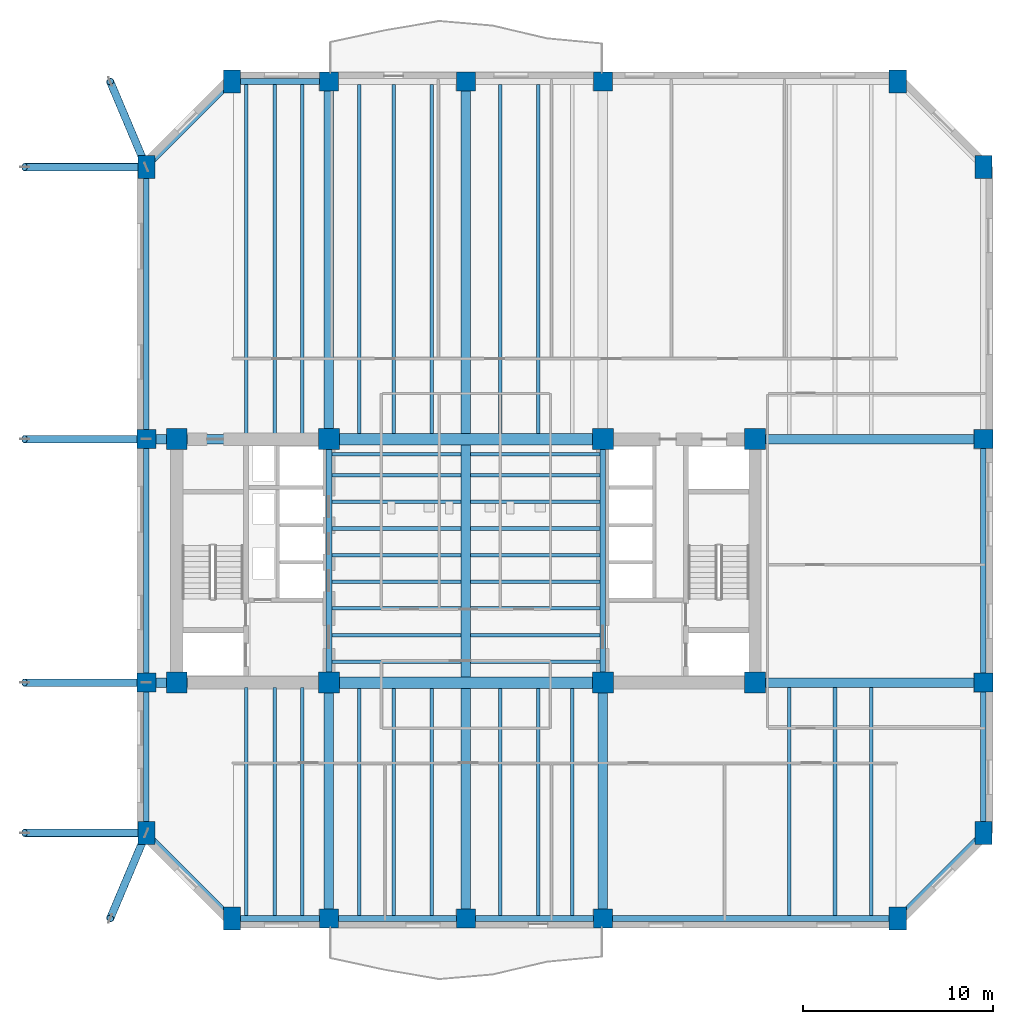
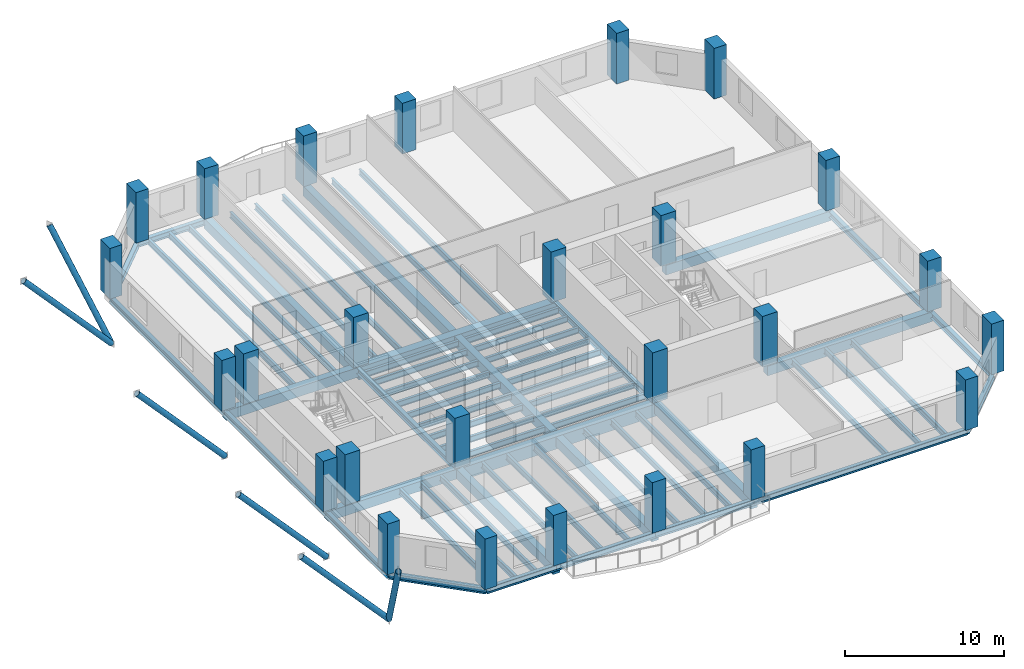
# One storey, part 1 of 12: 65 beams, 26 columns, 6 members.
"""IFC4 building model written with IfcOpenShell, lengths in metres."""

from ifc_helpers import new_model, si_unit, direction, frame, origin, origin_2d, place, context, subcontext, project, spatial, rectangle, hollow_circle, i_section, extrude, material, material_profile, profile_set, type_object, element, save


model = new_model("IFC4")

# Units and contexts
model_context = context("Model", 3, precision=1e-05, world=origin(), true_north=direction((0.0, 1.0)))
body_context = subcontext(model_context, "Body", "Model", "MODEL_VIEW")
ifc_project = project(units=[si_unit("LENGTHUNIT", "METRE"), si_unit("AREAUNIT", "SQUARE_METRE"), si_unit("VOLUMEUNIT", "CUBIC_METRE"), si_unit("PLANEANGLEUNIT", "RADIAN"), si_unit("MASSUNIT", "GRAM", prefix="KILO")], contexts=[model_context])

# Site, building, storey
site_placement = place(None, origin())
site = spatial("IfcSite", under=ifc_project, at=site_placement, CompositionType="ELEMENT")
building_placement = place(site_placement, origin())
building = spatial("IfcBuilding", under=site, at=building_placement, Name="Kranthara Brick Stack", CompositionType="ELEMENT")
storey_placement = place(building_placement, frame((0.0, 0.0, 90.60009765625)))
storey = spatial("IfcBuildingStorey", under=building, at=storey_placement, Name="L22", CompositionType="ELEMENT", Elevation=90.60009765625)

# Columns
ifc_material_1 = material(Name="Concrete C70/85", Category="concrete")
ifc_material_profile_1 = material_profile(ifc_material_1, rectangle(XDim=0.89990234375, YDim=1.199951171875, at=origin_2d()), Name="RC 900x1200")
ifc_profile_set_1 = profile_set([ifc_material_profile_1], Name="Concrete C70/85")
column_type_1 = type_object("IfcColumnType", Name="COL-CHAM-900x1200", PredefinedType="COLUMN", material=ifc_profile_set_1)
for number, where, z_axis, x_axis, name in (
    (1, (15.699951171875, 8.39990234375, 0.0), (0.0, 0.0, 1.0), (1.0, 0.0, 0.0), "L22 Column 09"),
    (2, (15.699951171875, 52.39990234375, 0.0), (0.0, 0.0, 1.0), (1.0, 0.0, 0.0), "L22 Column 10"),
    (3, (50.699951171875, 8.39990234375, 0.0), (0.0, 0.0, 1.0), (1.0, 0.0, 0.0), "L22 Column 17"),
    (4, (50.699951171875, 52.39990234375, 0.0), (0.0, 0.0, 1.0), (1.0, 0.0, 0.0), "L22 Column 18"),
    (5, (11.199951171875, 12.89990234375, 0.0), (0.0, 0.0, 1.0), (1.0, 0.0, 0.0), "L22 Column 19"),
    (6, (55.199951171875, 12.89990234375, 0.0), (0.0, 0.0, 1.0), (1.0, 0.0, 0.0), "L22 Column 20"),
    (7, (11.199951171875, 47.89990234375, 0.0), (0.0, 0.0, 1.0), (1.0, 0.0, 0.0), "L22 Column 25"),
    (8, (55.199951171875, 47.89990234375, 0.0), (0.0, 0.0, 1.0), (1.0, 0.0, 0.0), "L22 Column 26"),
):
    element("IfcColumn", number, at=place(storey_placement, frame(where, z_axis=z_axis, x_axis=x_axis)), inside=storey, type_object=column_type_1, Name=name, PredefinedType="COLUMN", context=body_context, shape_type="SweptSolid", body=[
        extrude(rectangle(XDim=0.89990234375, YDim=1.199951171875, at=origin_2d()), origin(), (0.0, 0.0, 1.0), 3.89990234375),
    ])
ifc_material_2 = material(Name="Concrete C70/85", Category="concrete")
ifc_material_profile_2 = material_profile(ifc_material_2, rectangle(XDim=1.10009765625, YDim=1.10009765625, at=origin_2d()), Name="RC 1100x1100")
ifc_profile_set_2 = profile_set([ifc_material_profile_2], Name="Concrete C70/85")
column_type_2 = type_object("IfcColumnType", Name="COL-CORE-1100", PredefinedType="COLUMN", material=ifc_profile_set_2)
for number, where, z_axis, x_axis, name in (
    (9, (12.800048828125, 20.800048828125, 0.0), (0.0, 0.0, 1.0), (1.0, 0.0, 0.0), "L22 Column 01"),
    (10, (20.800048828125, 20.800048828125, 0.0), (0.0, 0.0, 1.0), (1.0, 0.0, 0.0), "L22 Column 02"),
    (11, (12.800048828125, 33.60009765625, 0.0), (0.0, 0.0, 1.0), (1.0, 0.0, 0.0), "L22 Column 03"),
    (12, (20.800048828125, 33.60009765625, 0.0), (0.0, 0.0, 1.0), (1.0, 0.0, 0.0), "L22 Column 04"),
    (13, (35.199951171875, 20.800048828125, 0.0), (0.0, 0.0, 1.0), (1.0, 0.0, 0.0), "L22 Column 05"),
    (14, (43.199951171875, 20.800048828125, 0.0), (0.0, 0.0, 1.0), (1.0, 0.0, 0.0), "L22 Column 06"),
    (15, (35.199951171875, 33.60009765625, 0.0), (0.0, 0.0, 1.0), (1.0, 0.0, 0.0), "L22 Column 07"),
    (16, (43.199951171875, 33.60009765625, 0.0), (0.0, 0.0, 1.0), (1.0, 0.0, 0.0), "L22 Column 08"),
):
    element("IfcColumn", number, at=place(storey_placement, frame(where, z_axis=z_axis, x_axis=x_axis)), inside=storey, type_object=column_type_2, Name=name, PredefinedType="COLUMN", context=body_context, shape_type="SweptSolid", body=[
        extrude(rectangle(XDim=1.10009765625, YDim=1.10009765625, at=origin_2d()), origin(), (0.0, 0.0, 1.0), 3.89990234375),
    ])
ifc_material_3 = material(Name="Concrete C60/75", Category="concrete")
ifc_material_profile_3 = material_profile(ifc_material_3, rectangle(XDim=1.0, YDim=1.0, at=origin_2d()), Name="RC 1000x1000")
ifc_profile_set_3 = profile_set([ifc_material_profile_3], Name="Concrete C60/75")
column_type_3 = type_object("IfcColumnType", Name="COL-PER-1000", PredefinedType="COLUMN", material=ifc_profile_set_3)
for number, where, z_axis, x_axis, name in (
    (17, (20.800048828125, 8.39990234375, 0.0), (0.0, 0.0, 1.0), (1.0, 0.0, 0.0), "L22 Column 11"),
    (18, (20.800048828125, 52.39990234375, 0.0), (0.0, 0.0, 1.0), (1.0, 0.0, 0.0), "L22 Column 12"),
    (19, (28.0, 8.39990234375, 0.0), (0.0, 0.0, 1.0), (1.0, 0.0, 0.0), "L22 Column 13"),
    (20, (28.0, 52.39990234375, 0.0), (0.0, 0.0, 1.0), (1.0, 0.0, 0.0), "L22 Column 14"),
    (21, (35.199951171875, 8.39990234375, 0.0), (0.0, 0.0, 1.0), (1.0, 0.0, 0.0), "L22 Column 15"),
    (22, (35.199951171875, 52.39990234375, 0.0), (0.0, 0.0, 1.0), (1.0, 0.0, 0.0), "L22 Column 16"),
    (23, (11.199951171875, 20.800048828125, 0.0), (0.0, 0.0, 1.0), (1.0, 0.0, 0.0), "L22 Column 21"),
    (24, (55.199951171875, 20.800048828125, 0.0), (0.0, 0.0, 1.0), (1.0, 0.0, 0.0), "L22 Column 22"),
    (25, (11.199951171875, 33.60009765625, 0.0), (0.0, 0.0, 1.0), (1.0, 0.0, 0.0), "L22 Column 23"),
    (26, (55.199951171875, 33.60009765625, 0.0), (0.0, 0.0, 1.0), (1.0, 0.0, 0.0), "L22 Column 24"),
):
    element("IfcColumn", number, at=place(storey_placement, frame(where, z_axis=z_axis, x_axis=x_axis)), inside=storey, type_object=column_type_3, Name=name, PredefinedType="COLUMN", context=body_context, shape_type="SweptSolid", body=[
        extrude(rectangle(XDim=1.0, YDim=1.0, at=origin_2d()), origin(), (0.0, 0.0, 1.0), 3.89990234375),
    ])

# Beams
ifc_material_4 = material(Name="Concrete C60/75", Category="concrete")
ifc_material_profile_4 = material_profile(ifc_material_4, rectangle(XDim=0.60009765625, YDim=0.949951171875, at=origin_2d()), Name="RC 600x950")
ifc_profile_set_4 = profile_set([ifc_material_profile_4], Name="Concrete C60/75")
beam_type_1 = type_object("IfcBeamType", Name="BM-CPL-RC950", PredefinedType="LINTEL", material=ifc_profile_set_4)
for number, where, z_axis, x_axis, name in (
    (27, (20.800048828125, 20.800048828125, -0.775146484375), (1.0, 0.0, 0.0), (0.0, 1.0, 0.0), "L22 Core Coupling Beam 001"),
    (28, (20.800048828125, 33.60009765625, -0.775146484375), (1.0, 0.0, 0.0), (0.0, 1.0, 0.0), "L22 Core Coupling Beam 002"),
):
    element("IfcBeam", number, at=place(storey_placement, frame(where, z_axis=z_axis, x_axis=x_axis)), inside=storey, type_object=beam_type_1, Name=name, PredefinedType="LINTEL", context=body_context, shape_type="SweptSolid", body=[
        extrude(rectangle(XDim=0.60009765625, YDim=0.949951171875, at=origin_2d()), origin(), (0.0, 0.0, 1.0), 14.39990234375),
    ])
ifc_material_5 = material(Name="Post-tensioned concrete C45/55", Category="concrete")
ifc_material_profile_5 = material_profile(ifc_material_5, rectangle(XDim=0.5, YDim=0.75, at=origin_2d()), Name="PT 500x750")
ifc_profile_set_5 = profile_set([ifc_material_profile_5], Name="Post-tensioned concrete C45/55")
beam_type_2 = type_object("IfcBeamType", Name="BM-FLR-PT750", PredefinedType="BEAM", material=ifc_profile_set_5)
beam_1_placement = place(storey_placement, frame((20.800048828125, 8.39990234375, -0.675048828125), z_axis=(0.0, 1.0, 0.0), x_axis=(-1.0, 0.0, 0.0)))
element("IfcBeam", 29, at=beam_1_placement, inside=storey, type_object=beam_type_2, Name="L22 Primary Grid Girder 023", PredefinedType="BEAM", context=body_context, shape_type="SweptSolid", body=[
    extrude(rectangle(XDim=0.5, YDim=0.75, at=origin_2d()), origin(), (0.0, 0.0, 1.0), 12.400146484375),
])
beam_2_placement = place(storey_placement, frame((20.800048828125, 33.60009765625, -0.675048828125), z_axis=(0.0, 1.0, 0.0), x_axis=(-1.0, 0.0, 0.0)))
element("IfcBeam", 30, at=beam_2_placement, inside=storey, type_object=beam_type_2, Name="L22 Primary Grid Girder 024", PredefinedType="BEAM", context=body_context, shape_type="SweptSolid", body=[
    extrude(rectangle(XDim=0.5, YDim=0.75, at=origin_2d()), origin(), (0.0, 0.0, 1.0), 18.7998046875),
])
beam_3_placement = place(storey_placement, frame((28.0, 8.39990234375, -0.675048828125), z_axis=(0.0, 1.0, 0.0), x_axis=(-1.0, 0.0, 0.0)))
element("IfcBeam", 31, at=beam_3_placement, inside=storey, type_object=beam_type_2, Name="L22 Primary Grid Girder 025", PredefinedType="BEAM", context=body_context, shape_type="SweptSolid", body=[
    extrude(rectangle(XDim=0.5, YDim=0.75, at=origin_2d()), origin(), (0.0, 0.0, 1.0), 12.10009765625),
])
beam_4_placement = place(storey_placement, frame((28.0, 21.10009765625, -0.675048828125), z_axis=(0.0, 1.0, 0.0), x_axis=(-1.0, 0.0, 0.0)))
element("IfcBeam", 32, at=beam_4_placement, inside=storey, type_object=beam_type_2, Name="L22 Central Spine Girder 026", PredefinedType="BEAM", context=body_context, shape_type="SweptSolid", body=[
    extrude(rectangle(XDim=0.5, YDim=0.75, at=origin_2d()), origin(), (0.0, 0.0, 1.0), 12.199951171875),
])
beam_5_placement = place(storey_placement, frame((28.0, 33.89990234375, -0.675048828125), z_axis=(0.0, 1.0, 0.0), x_axis=(-1.0, 0.0, 0.0)))
element("IfcBeam", 33, at=beam_5_placement, inside=storey, type_object=beam_type_2, Name="L22 Primary Grid Girder 027", PredefinedType="BEAM", context=body_context, shape_type="SweptSolid", body=[
    extrude(rectangle(XDim=0.5, YDim=0.75, at=origin_2d()), origin(), (0.0, 0.0, 1.0), 18.5),
])
beam_6_placement = place(storey_placement, frame((35.199951171875, 8.39990234375, -0.675048828125), z_axis=(0.0, 1.0, 0.0), x_axis=(-1.0, 0.0, 0.0)))
element("IfcBeam", 34, at=beam_6_placement, inside=storey, type_object=beam_type_2, Name="L22 Primary Grid Girder 028", PredefinedType="BEAM", context=body_context, shape_type="SweptSolid", body=[
    extrude(rectangle(XDim=0.5, YDim=0.75, at=origin_2d()), origin(), (0.0, 0.0, 1.0), 12.400146484375),
])
beam_7_placement = place(storey_placement, frame((11.199951171875, 20.800048828125, -0.675048828125), z_axis=(1.0, 0.0, 0.0), x_axis=(0.0, 1.0, 0.0)))
element("IfcBeam", 35, at=beam_7_placement, inside=storey, type_object=beam_type_2, Name="L22 Primary Grid Girder 030", PredefinedType="BEAM", context=body_context, shape_type="SweptSolid", body=[
    extrude(rectangle(XDim=0.5, YDim=0.75, at=origin_2d()), origin(), (0.0, 0.0, 1.0), 9.60009765625),
])
beam_8_placement = place(storey_placement, frame((43.199951171875, 20.800048828125, -0.675048828125), z_axis=(1.0, 0.0, 0.0), x_axis=(0.0, 1.0, 0.0)))
element("IfcBeam", 36, at=beam_8_placement, inside=storey, type_object=beam_type_2, Name="L22 Primary Grid Girder 031", PredefinedType="BEAM", context=body_context, shape_type="SweptSolid", body=[
    extrude(rectangle(XDim=0.5, YDim=0.75, at=origin_2d()), origin(), (0.0, 0.0, 1.0), 12.0),
])
beam_9_placement = place(storey_placement, frame((11.199951171875, 33.60009765625, -0.675048828125), z_axis=(1.0, 0.0, 0.0), x_axis=(0.0, 1.0, 0.0)))
element("IfcBeam", 37, at=beam_9_placement, inside=storey, type_object=beam_type_2, Name="L22 Primary Grid Girder 032", PredefinedType="BEAM", context=body_context, shape_type="SweptSolid", body=[
    extrude(rectangle(XDim=0.5, YDim=0.75, at=origin_2d()), origin(), (0.0, 0.0, 1.0), 9.60009765625),
])
beam_10_placement = place(storey_placement, frame((43.199951171875, 33.60009765625, -0.675048828125), z_axis=(1.0, 0.0, 0.0), x_axis=(0.0, 1.0, 0.0)))
element("IfcBeam", 38, at=beam_10_placement, inside=storey, type_object=beam_type_2, Name="L22 Primary Grid Girder 033", PredefinedType="BEAM", context=body_context, shape_type="SweptSolid", body=[
    extrude(rectangle(XDim=0.5, YDim=0.75, at=origin_2d()), origin(), (0.0, 0.0, 1.0), 12.0),
])
ifc_material_6 = material(Name="Steel S355", Category="steel")
ifc_material_profile_6 = material_profile(ifc_material_6, i_section(OverallWidth=0.18994140625, OverallDepth=0.449951171875, WebThickness=0.009521484375, FlangeThickness=0.0146484375, at=origin_2d()), Name="IPE 450")
ifc_profile_set_6 = profile_set([ifc_material_profile_6], Name="Steel S355")
beam_type_3 = type_object("IfcBeamType", Name="BM-JST-IPE450", PredefinedType="JOIST", material=ifc_profile_set_6)
for number, where, z_axis, x_axis, name in (
    (39, (20.949951171875, 21.89990234375, -0.525146484375), (1.0, 0.0, 0.0), (0.0, 1.0, 0.0), "L22 Central Floor Joist 034"),
    (40, (28.25, 21.89990234375, -0.525146484375), (1.0, 0.0, 0.0), (0.0, 1.0, 0.0), "L22 Central Floor Joist 035"),
    (41, (20.949951171875, 23.300048828125, -0.525146484375), (1.0, 0.0, 0.0), (0.0, 1.0, 0.0), "L22 Central Floor Joist 036"),
    (42, (28.25, 23.300048828125, -0.525146484375), (1.0, 0.0, 0.0), (0.0, 1.0, 0.0), "L22 Central Floor Joist 037"),
    (43, (20.949951171875, 24.699951171875, -0.525146484375), (1.0, 0.0, 0.0), (0.0, 1.0, 0.0), "L22 Central Floor Joist 038"),
    (44, (28.25, 24.699951171875, -0.525146484375), (1.0, 0.0, 0.0), (0.0, 1.0, 0.0), "L22 Central Floor Joist 039"),
    (45, (20.949951171875, 26.10009765625, -0.525146484375), (1.0, 0.0, 0.0), (0.0, 1.0, 0.0), "L22 Central Floor Joist 040"),
    (46, (28.25, 26.10009765625, -0.525146484375), (1.0, 0.0, 0.0), (0.0, 1.0, 0.0), "L22 Central Floor Joist 041"),
    (47, (20.949951171875, 27.5, -0.525146484375), (1.0, 0.0, 0.0), (0.0, 1.0, 0.0), "L22 Central Floor Joist 042"),
    (48, (28.25, 27.5, -0.525146484375), (1.0, 0.0, 0.0), (0.0, 1.0, 0.0), "L22 Central Floor Joist 043"),
    (49, (20.949951171875, 28.89990234375, -0.525146484375), (1.0, 0.0, 0.0), (0.0, 1.0, 0.0), "L22 Central Floor Joist 044"),
    (50, (28.25, 28.89990234375, -0.525146484375), (1.0, 0.0, 0.0), (0.0, 1.0, 0.0), "L22 Central Floor Joist 045"),
    (51, (20.949951171875, 30.300048828125, -0.525146484375), (1.0, 0.0, 0.0), (0.0, 1.0, 0.0), "L22 Central Floor Joist 046"),
    (52, (28.25, 30.300048828125, -0.525146484375), (1.0, 0.0, 0.0), (0.0, 1.0, 0.0), "L22 Central Floor Joist 047"),
    (53, (20.949951171875, 31.699951171875, -0.525146484375), (1.0, 0.0, 0.0), (0.0, 1.0, 0.0), "L22 Central Floor Joist 048"),
    (54, (28.25, 31.699951171875, -0.525146484375), (1.0, 0.0, 0.0), (0.0, 1.0, 0.0), "L22 Central Floor Joist 049"),
    (55, (20.949951171875, 32.800048828125, -0.525146484375), (1.0, 0.0, 0.0), (0.0, 1.0, 0.0), "L22 Central Floor Joist 050"),
    (56, (28.25, 32.800048828125, -0.525146484375), (1.0, 0.0, 0.0), (0.0, 1.0, 0.0), "L22 Central Floor Joist 051"),
):
    element("IfcBeam", number, at=place(storey_placement, frame(where, z_axis=z_axis, x_axis=x_axis)), inside=storey, type_object=beam_type_3, Name=name, PredefinedType="JOIST", context=body_context, shape_type="SweptSolid", body=[
        extrude(i_section(OverallWidth=0.18994140625, OverallDepth=0.449951171875, WebThickness=0.009521484375, FlangeThickness=0.0146484375, at=origin_2d()), origin(), (0.0, 0.0, 1.0), 6.800048828125),
    ])
beam_11_placement = place(storey_placement, frame((16.449951171875, 8.550048828125, -0.525146484375), z_axis=(0.0, 1.0, 0.0), x_axis=(-1.0, 0.0, 0.0)))
element("IfcBeam", 57, at=beam_11_placement, inside=storey, type_object=beam_type_3, Name="L22 South Wing Floor Joist 052", PredefinedType="JOIST", context=body_context, shape_type="SweptSolid", body=[
    extrude(i_section(OverallWidth=0.18994140625, OverallDepth=0.449951171875, WebThickness=0.009521484375, FlangeThickness=0.0146484375, at=origin_2d()), origin(), (0.0, 0.0, 1.0), 12.0),
])
beam_12_placement = place(storey_placement, frame((16.449951171875, 33.85009765625, -0.525146484375), z_axis=(0.0, 1.0, 0.0), x_axis=(-1.0, 0.0, 0.0)))
element("IfcBeam", 58, at=beam_12_placement, inside=storey, type_object=beam_type_3, Name="L22 North Wing Floor Joist 053", PredefinedType="JOIST", context=body_context, shape_type="SweptSolid", body=[
    extrude(i_section(OverallWidth=0.18994140625, OverallDepth=0.449951171875, WebThickness=0.009521484375, FlangeThickness=0.0146484375, at=origin_2d()), origin(), (0.0, 0.0, 1.0), 18.39990234375),
])
beam_13_placement = place(storey_placement, frame((17.949951171875, 8.550048828125, -0.525146484375), z_axis=(0.0, 1.0, 0.0), x_axis=(-1.0, 0.0, 0.0)))
element("IfcBeam", 59, at=beam_13_placement, inside=storey, type_object=beam_type_3, Name="L22 South Wing Floor Joist 054", PredefinedType="JOIST", context=body_context, shape_type="SweptSolid", body=[
    extrude(i_section(OverallWidth=0.18994140625, OverallDepth=0.449951171875, WebThickness=0.009521484375, FlangeThickness=0.0146484375, at=origin_2d()), origin(), (0.0, 0.0, 1.0), 12.0),
])
beam_14_placement = place(storey_placement, frame((17.949951171875, 33.85009765625, -0.525146484375), z_axis=(0.0, 1.0, 0.0), x_axis=(-1.0, 0.0, 0.0)))
element("IfcBeam", 60, at=beam_14_placement, inside=storey, type_object=beam_type_3, Name="L22 North Wing Floor Joist 055", PredefinedType="JOIST", context=body_context, shape_type="SweptSolid", body=[
    extrude(i_section(OverallWidth=0.18994140625, OverallDepth=0.449951171875, WebThickness=0.009521484375, FlangeThickness=0.0146484375, at=origin_2d()), origin(), (0.0, 0.0, 1.0), 18.39990234375),
])
beam_15_placement = place(storey_placement, frame((19.39990234375, 8.550048828125, -0.525146484375), z_axis=(0.0, 1.0, 0.0), x_axis=(-1.0, 0.0, 0.0)))
element("IfcBeam", 61, at=beam_15_placement, inside=storey, type_object=beam_type_3, Name="L22 South Wing Floor Joist 056", PredefinedType="JOIST", context=body_context, shape_type="SweptSolid", body=[
    extrude(i_section(OverallWidth=0.18994140625, OverallDepth=0.449951171875, WebThickness=0.009521484375, FlangeThickness=0.0146484375, at=origin_2d()), origin(), (0.0, 0.0, 1.0), 12.0),
])
beam_16_placement = place(storey_placement, frame((19.39990234375, 33.85009765625, -0.525146484375), z_axis=(0.0, 1.0, 0.0), x_axis=(-1.0, 0.0, 0.0)))
element("IfcBeam", 62, at=beam_16_placement, inside=storey, type_object=beam_type_3, Name="L22 North Wing Floor Joist 057", PredefinedType="JOIST", context=body_context, shape_type="SweptSolid", body=[
    extrude(i_section(OverallWidth=0.18994140625, OverallDepth=0.449951171875, WebThickness=0.009521484375, FlangeThickness=0.0146484375, at=origin_2d()), origin(), (0.0, 0.0, 1.0), 18.39990234375),
])
beam_17_placement = place(storey_placement, frame((22.39990234375, 8.550048828125, -0.525146484375), z_axis=(0.0, 1.0, 0.0), x_axis=(-1.0, 0.0, 0.0)))
element("IfcBeam", 63, at=beam_17_placement, inside=storey, type_object=beam_type_3, Name="L22 South Wing Floor Joist 058", PredefinedType="JOIST", context=body_context, shape_type="SweptSolid", body=[
    extrude(i_section(OverallWidth=0.18994140625, OverallDepth=0.449951171875, WebThickness=0.009521484375, FlangeThickness=0.0146484375, at=origin_2d()), origin(), (0.0, 0.0, 1.0), 11.949951171875),
])
beam_18_placement = place(storey_placement, frame((22.39990234375, 33.89990234375, -0.525146484375), z_axis=(0.0, 1.0, 0.0), x_axis=(-1.0, 0.0, 0.0)))
element("IfcBeam", 64, at=beam_18_placement, inside=storey, type_object=beam_type_3, Name="L22 North Wing Floor Joist 059", PredefinedType="JOIST", context=body_context, shape_type="SweptSolid", body=[
    extrude(i_section(OverallWidth=0.18994140625, OverallDepth=0.449951171875, WebThickness=0.009521484375, FlangeThickness=0.0146484375, at=origin_2d()), origin(), (0.0, 0.0, 1.0), 18.35009765625),
])
beam_19_placement = place(storey_placement, frame((24.199951171875, 8.550048828125, -0.525146484375), z_axis=(0.0, 1.0, 0.0), x_axis=(-1.0, 0.0, 0.0)))
element("IfcBeam", 65, at=beam_19_placement, inside=storey, type_object=beam_type_3, Name="L22 South Wing Floor Joist 060", PredefinedType="JOIST", context=body_context, shape_type="SweptSolid", body=[
    extrude(i_section(OverallWidth=0.18994140625, OverallDepth=0.449951171875, WebThickness=0.009521484375, FlangeThickness=0.0146484375, at=origin_2d()), origin(), (0.0, 0.0, 1.0), 11.949951171875),
])
beam_20_placement = place(storey_placement, frame((24.199951171875, 33.89990234375, -0.525146484375), z_axis=(0.0, 1.0, 0.0), x_axis=(-1.0, 0.0, 0.0)))
element("IfcBeam", 66, at=beam_20_placement, inside=storey, type_object=beam_type_3, Name="L22 North Wing Floor Joist 061", PredefinedType="JOIST", context=body_context, shape_type="SweptSolid", body=[
    extrude(i_section(OverallWidth=0.18994140625, OverallDepth=0.449951171875, WebThickness=0.009521484375, FlangeThickness=0.0146484375, at=origin_2d()), origin(), (0.0, 0.0, 1.0), 18.35009765625),
])
beam_21_placement = place(storey_placement, frame((26.199951171875, 8.550048828125, -0.525146484375), z_axis=(0.0, 1.0, 0.0), x_axis=(-1.0, 0.0, 0.0)))
element("IfcBeam", 67, at=beam_21_placement, inside=storey, type_object=beam_type_3, Name="L22 South Wing Floor Joist 062", PredefinedType="JOIST", context=body_context, shape_type="SweptSolid", body=[
    extrude(i_section(OverallWidth=0.18994140625, OverallDepth=0.449951171875, WebThickness=0.009521484375, FlangeThickness=0.0146484375, at=origin_2d()), origin(), (0.0, 0.0, 1.0), 11.949951171875),
])
beam_22_placement = place(storey_placement, frame((26.199951171875, 33.89990234375, -0.525146484375), z_axis=(0.0, 1.0, 0.0), x_axis=(-1.0, 0.0, 0.0)))
element("IfcBeam", 68, at=beam_22_placement, inside=storey, type_object=beam_type_3, Name="L22 North Wing Floor Joist 063", PredefinedType="JOIST", context=body_context, shape_type="SweptSolid", body=[
    extrude(i_section(OverallWidth=0.18994140625, OverallDepth=0.449951171875, WebThickness=0.009521484375, FlangeThickness=0.0146484375, at=origin_2d()), origin(), (0.0, 0.0, 1.0), 18.35009765625),
])
beam_23_placement = place(storey_placement, frame((29.800048828125, 8.550048828125, -0.525146484375), z_axis=(0.0, 1.0, 0.0), x_axis=(-1.0, 0.0, 0.0)))
element("IfcBeam", 69, at=beam_23_placement, inside=storey, type_object=beam_type_3, Name="L22 South Wing Floor Joist 064", PredefinedType="JOIST", context=body_context, shape_type="SweptSolid", body=[
    extrude(i_section(OverallWidth=0.18994140625, OverallDepth=0.449951171875, WebThickness=0.009521484375, FlangeThickness=0.0146484375, at=origin_2d()), origin(), (0.0, 0.0, 1.0), 11.949951171875),
])
beam_24_placement = place(storey_placement, frame((29.800048828125, 33.89990234375, -0.525146484375), z_axis=(0.0, 1.0, 0.0), x_axis=(-1.0, 0.0, 0.0)))
element("IfcBeam", 70, at=beam_24_placement, inside=storey, type_object=beam_type_3, Name="L22 North Wing Floor Joist 065", PredefinedType="JOIST", context=body_context, shape_type="SweptSolid", body=[
    extrude(i_section(OverallWidth=0.18994140625, OverallDepth=0.449951171875, WebThickness=0.009521484375, FlangeThickness=0.0146484375, at=origin_2d()), origin(), (0.0, 0.0, 1.0), 18.35009765625),
])
beam_25_placement = place(storey_placement, frame((31.800048828125, 8.550048828125, -0.525146484375), z_axis=(0.0, 1.0, 0.0), x_axis=(-1.0, 0.0, 0.0)))
element("IfcBeam", 71, at=beam_25_placement, inside=storey, type_object=beam_type_3, Name="L22 South Wing Floor Joist 066", PredefinedType="JOIST", context=body_context, shape_type="SweptSolid", body=[
    extrude(i_section(OverallWidth=0.18994140625, OverallDepth=0.449951171875, WebThickness=0.009521484375, FlangeThickness=0.0146484375, at=origin_2d()), origin(), (0.0, 0.0, 1.0), 11.949951171875),
])
beam_26_placement = place(storey_placement, frame((31.800048828125, 33.89990234375, -0.525146484375), z_axis=(0.0, 1.0, 0.0), x_axis=(-1.0, 0.0, 0.0)))
element("IfcBeam", 72, at=beam_26_placement, inside=storey, type_object=beam_type_3, Name="L22 North Wing Floor Joist 067", PredefinedType="JOIST", context=body_context, shape_type="SweptSolid", body=[
    extrude(i_section(OverallWidth=0.18994140625, OverallDepth=0.449951171875, WebThickness=0.009521484375, FlangeThickness=0.0146484375, at=origin_2d()), origin(), (0.0, 0.0, 1.0), 18.35009765625),
])
beam_27_placement = place(storey_placement, frame((33.60009765625, 8.550048828125, -0.525146484375), z_axis=(0.0, 1.0, 0.0), x_axis=(-1.0, 0.0, 0.0)))
element("IfcBeam", 73, at=beam_27_placement, inside=storey, type_object=beam_type_3, Name="L22 South Wing Floor Joist 068", PredefinedType="JOIST", context=body_context, shape_type="SweptSolid", body=[
    extrude(i_section(OverallWidth=0.18994140625, OverallDepth=0.449951171875, WebThickness=0.009521484375, FlangeThickness=0.0146484375, at=origin_2d()), origin(), (0.0, 0.0, 1.0), 11.949951171875),
])
for number, where, z_axis, x_axis, name in (
    (74, (45.0, 8.550048828125, -0.525146484375), (0.0, 1.0, 0.0), (-1.0, 0.0, 0.0), "L22 South Wing Floor Joist 070"),
    (75, (47.39990234375, 8.550048828125, -0.525146484375), (0.0, 1.0, 0.0), (-1.0, 0.0, 0.0), "L22 South Wing Floor Joist 072"),
    (76, (49.300048828125, 8.550048828125, -0.525146484375), (0.0, 1.0, 0.0), (-1.0, 0.0, 0.0), "L22 South Wing Floor Joist 074"),
):
    element("IfcBeam", number, at=place(storey_placement, frame(where, z_axis=z_axis, x_axis=x_axis)), inside=storey, type_object=beam_type_3, Name=name, PredefinedType="JOIST", context=body_context, shape_type="SweptSolid", body=[
        extrude(i_section(OverallWidth=0.18994140625, OverallDepth=0.449951171875, WebThickness=0.009521484375, FlangeThickness=0.0146484375, at=origin_2d()), origin(), (0.0, 0.0, 1.0), 12.0),
    ])
ifc_material_7 = material(Name="Steel S355", Category="steel")
ifc_material_profile_7 = material_profile(ifc_material_7, i_section(OverallWidth=0.300048828125, OverallDepth=0.449951171875, WebThickness=0.013916015625, FlangeThickness=0.02587890625, at=origin_2d()), Name="HEB 450")
ifc_profile_set_7 = profile_set([ifc_material_profile_7], Name="Steel S355")
beam_type_4 = type_object("IfcBeamType", Name="BM-STL-HEB450", PredefinedType="SPANDREL", material=ifc_profile_set_7)
for number, where, z_axis, x_axis, name in (
    (77, (20.800048828125, 20.800048828125, -0.525146484375), (0.0, 1.0, 0.0), (-1.0, 0.0, 0.0), "L22 Core Edge Tie Beam 003"),
    (78, (35.199951171875, 20.800048828125, -0.525146484375), (0.0, 1.0, 0.0), (-1.0, 0.0, 0.0), "L22 Core Edge Tie Beam 004"),
):
    element("IfcBeam", number, at=place(storey_placement, frame(where, z_axis=z_axis, x_axis=x_axis)), inside=storey, type_object=beam_type_4, Name=name, PredefinedType="SPANDREL", context=body_context, shape_type="SweptSolid", body=[
        extrude(i_section(OverallWidth=0.300048828125, OverallDepth=0.449951171875, WebThickness=0.013916015625, FlangeThickness=0.02587890625, at=origin_2d()), origin(), (0.0, 0.0, 1.0), 12.800048828125),
    ])
beam_28_placement = place(storey_placement, frame((15.699951171875, 8.39990234375, -0.525146484375), z_axis=(1.0, 0.0, 0.0), x_axis=(0.0, 1.0, 0.0)))
element("IfcBeam", 79, at=beam_28_placement, inside=storey, type_object=beam_type_4, Name="L22 Perimeter Spandrel Beam 005", PredefinedType="SPANDREL", context=body_context, shape_type="SweptSolid", body=[
    extrude(i_section(OverallWidth=0.300048828125, OverallDepth=0.449951171875, WebThickness=0.013916015625, FlangeThickness=0.02587890625, at=origin_2d()), origin(), (0.0, 0.0, 1.0), 5.10009765625),
])
for number, where, z_axis, x_axis, name in (
    (80, (20.800048828125, 8.39990234375, -0.525146484375), (1.0, 0.0, 0.0), (0.0, 1.0, 0.0), "L22 Perimeter Spandrel Beam 006"),
    (81, (28.0, 8.39990234375, -0.525146484375), (1.0, 0.0, 0.0), (0.0, 1.0, 0.0), "L22 Perimeter Spandrel Beam 007"),
):
    element("IfcBeam", number, at=place(storey_placement, frame(where, z_axis=z_axis, x_axis=x_axis)), inside=storey, type_object=beam_type_4, Name=name, PredefinedType="SPANDREL", context=body_context, shape_type="SweptSolid", body=[
        extrude(i_section(OverallWidth=0.300048828125, OverallDepth=0.449951171875, WebThickness=0.013916015625, FlangeThickness=0.02587890625, at=origin_2d()), origin(), (0.0, 0.0, 1.0), 7.199951171875),
    ])
beam_29_placement = place(storey_placement, frame((35.199951171875, 8.39990234375, -0.525146484375), z_axis=(1.0, 0.0, 0.0), x_axis=(0.0, 1.0, 0.0)))
element("IfcBeam", 82, at=beam_29_placement, inside=storey, type_object=beam_type_4, Name="L22 Perimeter Spandrel Beam 008", PredefinedType="SPANDREL", context=body_context, shape_type="SweptSolid", body=[
    extrude(i_section(OverallWidth=0.300048828125, OverallDepth=0.449951171875, WebThickness=0.013916015625, FlangeThickness=0.02587890625, at=origin_2d()), origin(), (0.0, 0.0, 1.0), 15.5),
])
beam_30_placement = place(storey_placement, frame((15.699951171875, 52.39990234375, -0.525146484375), z_axis=(1.0, 0.0, 0.0), x_axis=(0.0, 1.0, 0.0)))
element("IfcBeam", 83, at=beam_30_placement, inside=storey, type_object=beam_type_4, Name="L22 Perimeter Spandrel Beam 009", PredefinedType="SPANDREL", context=body_context, shape_type="SweptSolid", body=[
    extrude(i_section(OverallWidth=0.300048828125, OverallDepth=0.449951171875, WebThickness=0.013916015625, FlangeThickness=0.02587890625, at=origin_2d()), origin(), (0.0, 0.0, 1.0), 5.10009765625),
])
beam_31_placement = place(storey_placement, frame((11.199951171875, 12.89990234375, -0.525146484375), z_axis=(0.0, 1.0, 0.0), x_axis=(-1.0, 0.0, 0.0)))
element("IfcBeam", 84, at=beam_31_placement, inside=storey, type_object=beam_type_4, Name="L22 Perimeter Spandrel Beam 013", PredefinedType="SPANDREL", context=body_context, shape_type="SweptSolid", body=[
    extrude(i_section(OverallWidth=0.300048828125, OverallDepth=0.449951171875, WebThickness=0.013916015625, FlangeThickness=0.02587890625, at=origin_2d()), origin(), (0.0, 0.0, 1.0), 7.900146484375),
])
beam_32_placement = place(storey_placement, frame((11.199951171875, 20.800048828125, -0.525146484375), z_axis=(0.0, 1.0, 0.0), x_axis=(-1.0, 0.0, 0.0)))
element("IfcBeam", 85, at=beam_32_placement, inside=storey, type_object=beam_type_4, Name="L22 Perimeter Spandrel Beam 014", PredefinedType="SPANDREL", context=body_context, shape_type="SweptSolid", body=[
    extrude(i_section(OverallWidth=0.300048828125, OverallDepth=0.449951171875, WebThickness=0.013916015625, FlangeThickness=0.02587890625, at=origin_2d()), origin(), (0.0, 0.0, 1.0), 12.800048828125),
])
beam_33_placement = place(storey_placement, frame((11.199951171875, 33.60009765625, -0.525146484375), z_axis=(0.0, 1.0, 0.0), x_axis=(-1.0, 0.0, 0.0)))
element("IfcBeam", 86, at=beam_33_placement, inside=storey, type_object=beam_type_4, Name="L22 Perimeter Spandrel Beam 015", PredefinedType="SPANDREL", context=body_context, shape_type="SweptSolid", body=[
    extrude(i_section(OverallWidth=0.300048828125, OverallDepth=0.449951171875, WebThickness=0.013916015625, FlangeThickness=0.02587890625, at=origin_2d()), origin(), (0.0, 0.0, 1.0), 14.2998046875),
])
beam_34_placement = place(storey_placement, frame((55.199951171875, 12.89990234375, -0.525146484375), z_axis=(0.0, 1.0, 0.0), x_axis=(-1.0, 0.0, 0.0)))
element("IfcBeam", 87, at=beam_34_placement, inside=storey, type_object=beam_type_4, Name="L22 Perimeter Spandrel Beam 016", PredefinedType="SPANDREL", context=body_context, shape_type="SweptSolid", body=[
    extrude(i_section(OverallWidth=0.300048828125, OverallDepth=0.449951171875, WebThickness=0.013916015625, FlangeThickness=0.02587890625, at=origin_2d()), origin(), (0.0, 0.0, 1.0), 7.900146484375),
])
beam_35_placement = place(storey_placement, frame((55.199951171875, 20.800048828125, -0.525146484375), z_axis=(0.0, 1.0, 0.0), x_axis=(-1.0, 0.0, 0.0)))
element("IfcBeam", 88, at=beam_35_placement, inside=storey, type_object=beam_type_4, Name="L22 Perimeter Spandrel Beam 017", PredefinedType="SPANDREL", context=body_context, shape_type="SweptSolid", body=[
    extrude(i_section(OverallWidth=0.300048828125, OverallDepth=0.449951171875, WebThickness=0.013916015625, FlangeThickness=0.02587890625, at=origin_2d()), origin(), (0.0, 0.0, 1.0), 12.800048828125),
])
for number, where, z_axis, x_axis, name in (
    (89, (15.699951171875, 8.39990234375, -0.525146484375), (-0.707106781187, 0.707106781187, 0.0), (-0.707106781187, -0.707106781187, 0.0), "L22 Chamfer Corner Spandrel 019"),
    (90, (50.699951171875, 8.39990234375, -0.525146484375), (0.707106781187, 0.707106781187, 0.0), (-0.707106781187, 0.707106781187, 0.0), "L22 Chamfer Corner Spandrel 020"),
    (91, (15.699951171875, 52.39990234375, -0.525146484375), (-0.707106781187, -0.707106781187, 0.0), (0.707106781187, -0.707106781187, 0.0), "L22 Chamfer Corner Spandrel 021"),
):
    element("IfcBeam", number, at=place(storey_placement, frame(where, z_axis=z_axis, x_axis=x_axis)), inside=storey, type_object=beam_type_4, Name=name, PredefinedType="SPANDREL", context=body_context, shape_type="SweptSolid", body=[
        extrude(i_section(OverallWidth=0.300048828125, OverallDepth=0.449951171875, WebThickness=0.013916015625, FlangeThickness=0.02587890625, at=origin_2d()), origin(), (0.0, 0.0, 1.0), 6.364013671875),
    ])

# Members
ifc_material_8 = material(Name="Steel S460", Category="steel")
ifc_material_profile_8 = material_profile(ifc_material_8, hollow_circle(Radius=0.203125, WallThickness=0.02001953125, at=origin_2d()), Name="CHS 406.4x20")
ifc_profile_set_8 = profile_set([ifc_material_profile_8], Name="Steel S460")
member_type = type_object("IfcMemberType", Name="MB-STR-CHS406", PredefinedType="STRUT", material=ifc_profile_set_8)
for number, where, z_axis, x_axis, name in (
    (92, (11.199951171875, 12.89990234375, -3.900146484375), (-0.221514470293, -0.524666501727, 0.821983212369), (0.921256725392, -0.388955069282, 0.0), "L23 Jenga Raked Transfer Strut 14"),
    (93, (11.199951171875, 47.89990234375, -3.900146484375), (-0.221514470293, 0.524666501727, 0.821983212369), (-0.921256725392, -0.388955069282, 0.0), "L23 Jenga Raked Transfer Strut 15"),
):
    element("IfcMember", number, at=place(storey_placement, frame(where, z_axis=z_axis, x_axis=x_axis)), inside=storey, type_object=member_type, Name=name, PredefinedType="STRUT", context=body_context, shape_type="SweptSolid", body=[
        extrude(hollow_circle(Radius=0.203125, WallThickness=0.02001953125, at=origin_2d()), origin(), (0.0, 0.0, 1.0), 8.576904296875),
    ])
for number, where, z_axis, x_axis, name in (
    (94, (11.199951171875, 12.89990234375, -3.900146484375), (-0.672141710371, 0.0, 0.740422528816), (0.0, -1.0, 0.0), "L23 Jenga Raked Transfer Strut 16"),
    (95, (11.199951171875, 20.800048828125, -3.900146484375), (-0.672141710371, 0.0, 0.740422528816), (0.0, -1.0, 0.0), "L23 Jenga Raked Transfer Strut 17"),
    (96, (11.199951171875, 33.60009765625, -3.900146484375), (-0.672141710371, 0.0, 0.740422528816), (0.0, -1.0, 0.0), "L23 Jenga Raked Transfer Strut 18"),
    (97, (11.199951171875, 47.89990234375, -3.900146484375), (-0.672141710371, 0.0, 0.740422528816), (0.0, -1.0, 0.0), "L23 Jenga Raked Transfer Strut 19"),
):
    element("IfcMember", number, at=place(storey_placement, frame(where, z_axis=z_axis, x_axis=x_axis)), inside=storey, type_object=member_type, Name=name, PredefinedType="STRUT", context=body_context, shape_type="SweptSolid", body=[
        extrude(hollow_circle(Radius=0.203125, WallThickness=0.02001953125, at=origin_2d()), origin(), (0.0, 0.0, 1.0), 9.521728515625),
    ])

save(model, "model.ifc")
